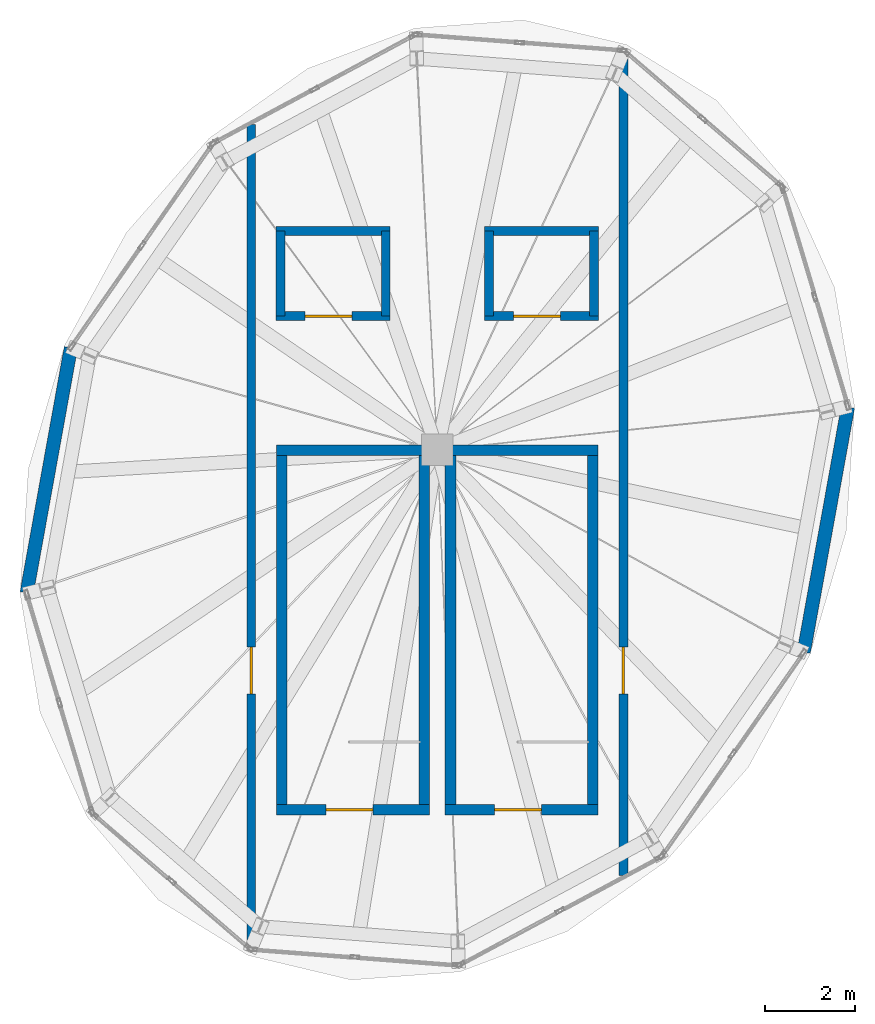
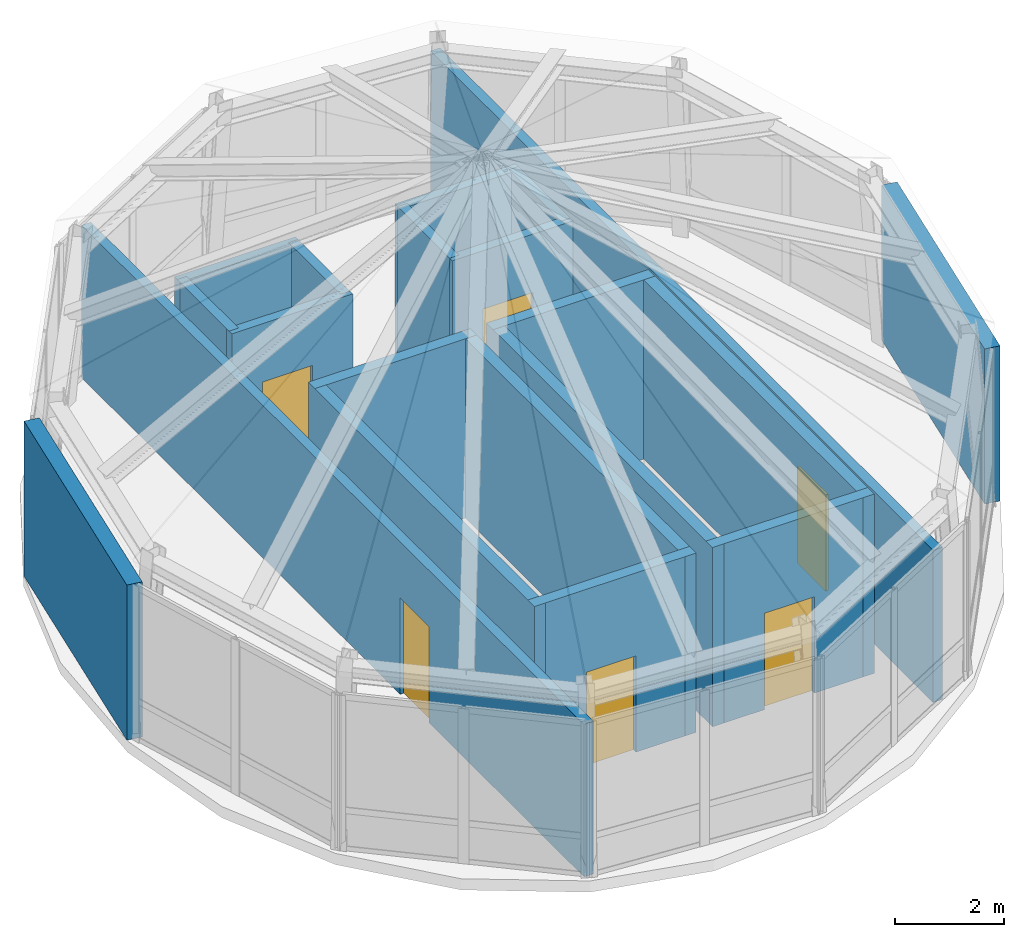
# One storey, part 7 of 8: 20 walls, 6 doors, 6 openings.
"""IFC4 building model written with IfcOpenShell, lengths in metres."""

from ifc_helpers import new_model, si_unit, direction, frame, frame_2d, origin, place, context, subcontext, project, spatial, rectangle, extrude, material, layer, layer_set, type_object, element, fill, save


model = new_model("IFC4")

# Units and contexts
model_context = context("Model", 3, precision=1e-05, world=origin(), true_north=direction((0.0, 1.0)))
body_context = subcontext(model_context, "Body", "Model", "MODEL_VIEW")
ifc_project = project(units=[si_unit("LENGTHUNIT", "METRE"), si_unit("AREAUNIT", "SQUARE_METRE"), si_unit("VOLUMEUNIT", "CUBIC_METRE"), si_unit("PLANEANGLEUNIT", "RADIAN"), si_unit("MASSUNIT", "GRAM", prefix="KILO"), si_unit("THERMODYNAMICTEMPERATUREUNIT", "KELVIN"), si_unit("POWERUNIT", "WATT")], contexts=[model_context])

# Site, building, storey
site_placement = place(None, origin())
site = spatial("IfcSite", under=ifc_project, at=site_placement, CompositionType="ELEMENT")
building_placement = place(site_placement, origin())
building = spatial("IfcBuilding", under=site, at=building_placement, Name="Ocrelia Relay Tower", CompositionType="ELEMENT")
storey_placement = place(building_placement, frame((0.0, 0.0, 308.0)))
storey = spatial("IfcBuildingStorey", under=building, at=storey_placement, Name="L77", CompositionType="ELEMENT", Elevation=308.0)

# Wall, opening, door
ifc_material_1 = material(Name="Concrete C50/60", Category="concrete")
ifc_layer_1 = layer(ifc_material_1, 0.239990234375, Name="Concrete C50/60")
ifc_layer_set_1 = layer_set([ifc_layer_1], Name="Concrete C50/60")
wall_type_1 = type_object("IfcWallType", Name="CW-STAIR-240", PredefinedType="SHEAR", material=ifc_layer_set_1)
wall_1_placement = place(storey_placement, frame((30.412109375, 19.092041015625, 0.0), z_axis=(0.0, 0.0, 1.0), x_axis=(1.0, 0.0, 0.0)))
wall_1 = element("IfcWall", 1, at=wall_1_placement, inside=storey, type_object=wall_type_1, Name="L77 ST4 Structural Shaft S Wall", PredefinedType="SHEAR", context=body_context, shape_type="SweptSolid", body=[
    extrude(rectangle(XDim=3.415771484375, YDim=0.239990234375, at=frame_2d((1.7080078125, 0.0))), origin(), (0.0, 0.0, 1.0), 4.0),
])
opening_1_placement = place(wall_1_placement, frame((1.10009765625, 0.0, 0.0)))
opening_1 = element("IfcOpeningElement", 2, at=opening_1_placement, cuts=wall_1, Name="Opening D-FD90", PredefinedType="OPENING", context=body_context, shape_type="SweptSolid", body=[
    extrude(rectangle(XDim=1.050048828125, YDim=2.14990234375, at=frame_2d((0.52490234375, 1.074951171875))), frame((0.0, 0.1298828125, 0.0), z_axis=(0.0, -1.0, 0.0), x_axis=(1.0, 0.0, 0.0)), (0.0, 0.0, 1.0), 0.260009765625),
])
ifc_material_2 = material(Name="Steel S355 90-min fire door", Category="steel")
door_type_1 = type_object("IfcDoorType", Name="DR-STAIR-FD90-1050", OperationType="NOTDEFINED", PredefinedType="DOOR", material=ifc_material_2)
door_1_placement = place(opening_1_placement, origin())
door_1 = element("IfcDoor", 3, at=door_1_placement, inside=storey, type_object=door_type_1, Name="L77 Crown Stair ST4 Fire Door", OperationType="SINGLE_SWING_LEFT", OverallHeight=2.14990234375, OverallWidth=1.050048828125, PredefinedType="DOOR", context=body_context, shape_type="SweptSolid", body=[
    extrude(rectangle(XDim=1.050048828125, YDim=2.14990234375, at=frame_2d((0.52490234375, 1.074951171875))), frame((0.0, 0.02490234375, 0.0), z_axis=(0.0, -1.0, 0.0), x_axis=(1.0, 0.0, 0.0)), (0.0, 0.0, 1.0), 0.050048828125),
])
fill(opening_1, door_1)

# Walls
wall_2_placement = place(storey_placement, frame((30.412109375, 27.10791015625, 0.0), z_axis=(0.0, 0.0, 1.0), x_axis=(1.0, 0.0, 0.0)))
element("IfcWall", 4, at=wall_2_placement, inside=storey, type_object=wall_type_1, Name="L77 ST4 Structural Shaft N Wall", PredefinedType="SHEAR", context=body_context, shape_type="SweptSolid", body=[
    extrude(rectangle(XDim=3.415771484375, YDim=0.239990234375, at=frame_2d((1.7080078125, 0.0))), origin(), (0.0, 0.0, 1.0), 4.0),
])
for number, where, z_axis, x_axis, name in (
    (5, (30.531982421875, 18.971923828125, 0.0), (0.0, 0.0, 1.0), (0.0, 1.0, 0.0), "L77 ST4 Structural Shaft W Wall"),
    (6, (33.7080078125, 18.971923828125, 0.0), (0.0, 0.0, 1.0), (0.0, 1.0, 0.0), "L77 ST4 Structural Shaft E Wall"),
):
    element("IfcWall", number, at=place(storey_placement, frame(where, z_axis=z_axis, x_axis=x_axis)), inside=storey, type_object=wall_type_1, Name=name, PredefinedType="SHEAR", context=body_context, shape_type="SweptSolid", body=[
        extrude(rectangle(XDim=8.256103515625, YDim=0.239990234375, at=frame_2d((4.1279296875, 0.0))), origin(), (0.0, 0.0, 1.0), 4.0),
    ])

# Wall, opening, door
wall_3_placement = place(storey_placement, frame((34.172119140625, 19.092041015625, 0.0), z_axis=(0.0, 0.0, 1.0), x_axis=(1.0, 0.0, 0.0)))
wall_3 = element("IfcWall", 7, at=wall_3_placement, inside=storey, type_object=wall_type_1, Name="L77 ST5 Structural Shaft S Wall", PredefinedType="SHEAR", context=body_context, shape_type="SweptSolid", body=[
    extrude(rectangle(XDim=3.415771484375, YDim=0.239990234375, at=frame_2d((1.7080078125, 0.0))), origin(), (0.0, 0.0, 1.0), 4.0),
])
opening_2_placement = place(wall_3_placement, frame((1.10009765625, 0.0, 0.0)))
opening_2 = element("IfcOpeningElement", 8, at=opening_2_placement, cuts=wall_3, Name="Opening D-FD90", PredefinedType="OPENING", context=body_context, shape_type="SweptSolid", body=[
    extrude(rectangle(XDim=1.050048828125, YDim=2.14990234375, at=frame_2d((0.52490234375, 1.074951171875))), frame((0.0, 0.1298828125, 0.0), z_axis=(0.0, -1.0, 0.0), x_axis=(1.0, 0.0, 0.0)), (0.0, 0.0, 1.0), 0.260009765625),
])
door_2_placement = place(opening_2_placement, origin())
door_2 = element("IfcDoor", 9, at=door_2_placement, inside=storey, type_object=door_type_1, Name="L77 Crown Stair ST5 Fire Door", OperationType="SINGLE_SWING_RIGHT", OverallHeight=2.14990234375, OverallWidth=1.050048828125, PredefinedType="DOOR", context=body_context, shape_type="SweptSolid", body=[
    extrude(rectangle(XDim=1.050048828125, YDim=2.14990234375, at=frame_2d((0.52490234375, 1.074951171875))), frame((0.0, 0.02490234375, 0.0), z_axis=(0.0, -1.0, 0.0), x_axis=(1.0, 0.0, 0.0)), (0.0, 0.0, 1.0), 0.050048828125),
])
fill(opening_2, door_2)

# Walls
wall_4_placement = place(storey_placement, frame((34.172119140625, 27.10791015625, 0.0), z_axis=(0.0, 0.0, 1.0), x_axis=(1.0, 0.0, 0.0)))
element("IfcWall", 10, at=wall_4_placement, inside=storey, type_object=wall_type_1, Name="L77 ST5 Structural Shaft N Wall", PredefinedType="SHEAR", context=body_context, shape_type="SweptSolid", body=[
    extrude(rectangle(XDim=3.415771484375, YDim=0.239990234375, at=frame_2d((1.7080078125, 0.0))), origin(), (0.0, 0.0, 1.0), 4.0),
])
for number, where, z_axis, x_axis, name in (
    (11, (34.2919921875, 18.971923828125, 0.0), (0.0, 0.0, 1.0), (0.0, 1.0, 0.0), "L77 ST5 Structural Shaft W Wall"),
    (12, (37.468017578125, 18.971923828125, 0.0), (0.0, 0.0, 1.0), (0.0, 1.0, 0.0), "L77 ST5 Structural Shaft E Wall"),
):
    element("IfcWall", number, at=place(storey_placement, frame(where, z_axis=z_axis, x_axis=x_axis)), inside=storey, type_object=wall_type_1, Name=name, PredefinedType="SHEAR", context=body_context, shape_type="SweptSolid", body=[
        extrude(rectangle(XDim=8.256103515625, YDim=0.239990234375, at=frame_2d((4.1279296875, 0.0))), origin(), (0.0, 0.0, 1.0), 4.0),
    ])
ifc_material_3 = material(Name="Precast concrete C40/50 with oxide terracotta", Category="masonry")
ifc_layer_2 = layer(ifc_material_3, 0.300048828125, Name="Precast concrete C40/50 with oxide terracotta")
ifc_layer_set_2 = layer_set([ifc_layer_2], Name="Precast concrete C40/50 with oxide terracotta")
wall_type_2 = type_object("IfcWallType", Name="W-EXT-TERR-300", PredefinedType="SOLIDWALL", material=ifc_layer_set_2)
for number, where, z_axis, x_axis, name in (
    (13, (25.82666015625, 29.393798828125, 0.0), (0.0, 0.0, 1.0), (-0.177445982258, -0.984130541839, 0.0), "L77 Crown Braced Terracotta Spine Wall 04"),
    (14, (42.17333984375, 22.606201171875, 0.0), (0.0, 0.0, 1.0), (0.177445982258, 0.984130541839, 0.0), "L77 Crown Braced Terracotta Spine Wall 10"),
):
    element("IfcWall", number, at=place(storey_placement, frame(where, z_axis=z_axis, x_axis=x_axis)), inside=storey, type_object=wall_type_2, Name=name, PredefinedType="SOLIDWALL", context=body_context, shape_type="SweptSolid", body=[
        extrude(rectangle(XDim=5.552978515625, YDim=0.300048828125, at=frame_2d((2.7763671875, 0.0))), origin(), (0.0, 0.0, 1.0), 3.4599609375),
    ])

# Wall, opening, door
ifc_layer_3 = layer(ifc_material_1, 0.199951171875, Name="Concrete C50/60")
ifc_layer_set_3 = layer_set([ifc_layer_3], Name="Concrete C50/60")
wall_type_3 = type_object("IfcWallType", Name="W-SHAFT-EI120-200", PredefinedType="SOLIDWALL", material=ifc_layer_set_3)
wall_5_placement = place(storey_placement, frame((30.39990234375, 30.10009765625, 0.0), z_axis=(0.0, 0.0, 1.0), x_axis=(1.0, 0.0, 0.0)))
wall_5 = element("IfcWall", 15, at=wall_5_placement, inside=storey, type_object=wall_type_3, Name="L77 FFL1 South Wall", PredefinedType="SOLIDWALL", context=body_context, shape_type="SweptSolid", body=[
    extrude(rectangle(XDim=2.550048828125, YDim=0.199951171875, at=frame_2d((1.27490234375, 0.0))), origin(), (0.0, 0.0, 1.0), 3.39990234375),
])
opening_3_placement = place(wall_5_placement, frame((0.64990234375, 0.0, 0.0)))
opening_3 = element("IfcOpeningElement", 16, at=opening_3_placement, cuts=wall_5, Name="Opening LD-FFL1", PredefinedType="OPENING", context=body_context, shape_type="SweptSolid", body=[
    extrude(rectangle(XDim=1.050048828125, YDim=2.10009765625, at=frame_2d((0.52490234375, 1.050048828125))), frame((0.0, 0.10986328125, 0.0), z_axis=(0.0, -1.0, 0.0), x_axis=(1.0, 0.0, 0.0)), (0.0, 0.0, 1.0), 0.219970703125),
])
ifc_material_4 = material(Name="Brushed stainless steel S355 lift landing door", Category="steel")
door_type_2 = type_object("IfcDoorType", Name="DR-LIFT-LAND-1050", OperationType="DOUBLE_DOOR_SLIDING", PredefinedType="USERDEFINED", material=ifc_material_4)
door_3_placement = place(opening_3_placement, origin())
door_3 = element("IfcDoor", 17, at=door_3_placement, inside=storey, type_object=door_type_2, Name="L77 FFL1 Sliding Landing Door", ObjectType="LANDING DOOR", OperationType="DOUBLE_DOOR_SLIDING", OverallHeight=2.10009765625, OverallWidth=1.050048828125, PredefinedType="USERDEFINED", context=body_context, shape_type="SweptSolid", body=[
    extrude(rectangle(XDim=1.050048828125, YDim=2.10009765625, at=frame_2d((0.52490234375, 1.050048828125))), frame((0.0, 0.02490234375, 0.0), z_axis=(0.0, -1.0, 0.0), x_axis=(1.0, 0.0, 0.0)), (0.0, 0.0, 1.0), 0.050048828125),
])
fill(opening_3, door_3)

# Walls
wall_6_placement = place(storey_placement, frame((30.39990234375, 32.0, 0.0), z_axis=(0.0, 0.0, 1.0), x_axis=(1.0, 0.0, 0.0)))
element("IfcWall", 18, at=wall_6_placement, inside=storey, type_object=wall_type_3, Name="L77 FFL1 N Wall", PredefinedType="SOLIDWALL", context=body_context, shape_type="SweptSolid", body=[
    extrude(rectangle(XDim=2.550048828125, YDim=0.199951171875, at=frame_2d((1.27490234375, 0.0))), origin(), (0.0, 0.0, 1.0), 3.39990234375),
])
for number, where, z_axis, x_axis, name in (
    (19, (30.5, 30.10009765625, 0.0), (0.0, 0.0, 1.0), (0.0, 1.0, 0.0), "L77 FFL1 W Wall"),
    (20, (32.85009765625, 30.10009765625, 0.0), (0.0, 0.0, 1.0), (0.0, 1.0, 0.0), "L77 FFL1 E Wall"),
):
    element("IfcWall", number, at=place(storey_placement, frame(where, z_axis=z_axis, x_axis=x_axis)), inside=storey, type_object=wall_type_3, Name=name, PredefinedType="SOLIDWALL", context=body_context, shape_type="SweptSolid", body=[
        extrude(rectangle(XDim=1.89990234375, YDim=0.199951171875, at=frame_2d((0.949951171875, 0.0))), origin(), (0.0, 0.0, 1.0), 3.39990234375),
    ])

# Wall, opening, door
wall_7_placement = place(storey_placement, frame((35.050048828125, 30.10009765625, 0.0), z_axis=(0.0, 0.0, 1.0), x_axis=(1.0, 0.0, 0.0)))
wall_7 = element("IfcWall", 21, at=wall_7_placement, inside=storey, type_object=wall_type_3, Name="L77 FFL2 South Wall", PredefinedType="SOLIDWALL", context=body_context, shape_type="SweptSolid", body=[
    extrude(rectangle(XDim=2.550048828125, YDim=0.199951171875, at=frame_2d((1.27490234375, 0.0))), origin(), (0.0, 0.0, 1.0), 3.39990234375),
])
opening_4_placement = place(wall_7_placement, frame((0.64990234375, 0.0, 0.0)))
opening_4 = element("IfcOpeningElement", 22, at=opening_4_placement, cuts=wall_7, Name="Opening LD-FFL2", PredefinedType="OPENING", context=body_context, shape_type="SweptSolid", body=[
    extrude(rectangle(XDim=1.050048828125, YDim=2.10009765625, at=frame_2d((0.52490234375, 1.050048828125))), frame((0.0, 0.10986328125, 0.0), z_axis=(0.0, -1.0, 0.0), x_axis=(1.0, 0.0, 0.0)), (0.0, 0.0, 1.0), 0.219970703125),
])
door_4_placement = place(opening_4_placement, origin())
door_4 = element("IfcDoor", 23, at=door_4_placement, inside=storey, type_object=door_type_2, Name="L77 FFL2 Sliding Landing Door", ObjectType="LANDING DOOR", OperationType="DOUBLE_DOOR_SLIDING", OverallHeight=2.10009765625, OverallWidth=1.050048828125, PredefinedType="USERDEFINED", context=body_context, shape_type="SweptSolid", body=[
    extrude(rectangle(XDim=1.050048828125, YDim=2.10009765625, at=frame_2d((0.52490234375, 1.050048828125))), frame((0.0, 0.02490234375, 0.0), z_axis=(0.0, -1.0, 0.0), x_axis=(1.0, 0.0, 0.0)), (0.0, 0.0, 1.0), 0.050048828125),
])
fill(opening_4, door_4)

# Walls
wall_8_placement = place(storey_placement, frame((35.050048828125, 32.0, 0.0), z_axis=(0.0, 0.0, 1.0), x_axis=(1.0, 0.0, 0.0)))
element("IfcWall", 24, at=wall_8_placement, inside=storey, type_object=wall_type_3, Name="L77 FFL2 N Wall", PredefinedType="SOLIDWALL", context=body_context, shape_type="SweptSolid", body=[
    extrude(rectangle(XDim=2.550048828125, YDim=0.199951171875, at=frame_2d((1.27490234375, 0.0))), origin(), (0.0, 0.0, 1.0), 3.39990234375),
])
for number, where, z_axis, x_axis, name in (
    (25, (35.14990234375, 30.10009765625, 0.0), (0.0, 0.0, 1.0), (0.0, 1.0, 0.0), "L77 FFL2 W Wall"),
    (26, (37.5, 30.10009765625, 0.0), (0.0, 0.0, 1.0), (0.0, 1.0, 0.0), "L77 FFL2 E Wall"),
):
    element("IfcWall", number, at=place(storey_placement, frame(where, z_axis=z_axis, x_axis=x_axis)), inside=storey, type_object=wall_type_3, Name=name, PredefinedType="SOLIDWALL", context=body_context, shape_type="SweptSolid", body=[
        extrude(rectangle(XDim=1.89990234375, YDim=0.199951171875, at=frame_2d((0.949951171875, 0.0))), origin(), (0.0, 0.0, 1.0), 3.39990234375),
    ])

# Wall, opening, door
wall_9_placement = place(storey_placement, frame((29.85009765625, 16.0078125, 0.0), z_axis=(0.0, 0.0, 1.0), x_axis=(0.0, 1.0, 0.0)))
wall_9 = element("IfcWall", 27, at=wall_9_placement, inside=storey, type_object=wall_type_3, Name="L77 Crown Lobby West Wall", PredefinedType="SOLIDWALL", context=body_context, shape_type="SweptSolid", body=[
    extrude(rectangle(XDim=18.36376953125, YDim=0.199951171875, at=frame_2d((9.181884765625, 0.0))), origin(), (0.0, 0.0, 1.0), 3.39990234375),
])
opening_5_placement = place(wall_9_placement, frame((5.667236328125, 0.0, 0.0)))
opening_5 = element("IfcOpeningElement", 28, at=opening_5_placement, cuts=wall_9, Name="Opening D-FD90", PredefinedType="OPENING", context=body_context, shape_type="SweptSolid", body=[
    extrude(rectangle(XDim=1.050048828125, YDim=2.14990234375, at=frame_2d((0.52490234375, 1.074951171875))), frame((0.0, 0.10986328125, 0.0), z_axis=(0.0, -1.0, 0.0), x_axis=(1.0, 0.0, 0.0)), (0.0, 0.0, 1.0), 0.219970703125),
])
door_5_placement = place(opening_5_placement, origin())
door_5 = element("IfcDoor", 29, at=door_5_placement, inside=storey, type_object=door_type_1, Name="L77 West Chiller Plant Door", OperationType="SINGLE_SWING_LEFT", OverallHeight=2.14990234375, OverallWidth=1.050048828125, PredefinedType="DOOR", context=body_context, shape_type="SweptSolid", body=[
    extrude(rectangle(XDim=1.050048828125, YDim=2.14990234375, at=frame_2d((0.52490234375, 1.074951171875))), frame((0.0, 0.02490234375, 0.0), z_axis=(0.0, -1.0, 0.0), x_axis=(1.0, 0.0, 0.0)), (0.0, 0.0, 1.0), 0.050048828125),
])
fill(opening_5, door_5)

wall_10_placement = place(storey_placement, frame((38.14990234375, 17.62841796875, 0.0), z_axis=(0.0, 0.0, 1.0), x_axis=(0.0, 1.0, 0.0)))
wall_10 = element("IfcWall", 30, at=wall_10_placement, inside=storey, type_object=wall_type_3, Name="L77 Crown Lobby East Wall", PredefinedType="SOLIDWALL", context=body_context, shape_type="SweptSolid", body=[
    extrude(rectangle(XDim=18.36376953125, YDim=0.199951171875, at=frame_2d((9.181884765625, 0.0))), origin(), (0.0, 0.0, 1.0), 3.39990234375),
])
opening_6_placement = place(wall_10_placement, frame((4.046630859375, 0.0, 0.0)))
opening_6 = element("IfcOpeningElement", 31, at=opening_6_placement, cuts=wall_10, Name="Opening D-FD90", PredefinedType="OPENING", context=body_context, shape_type="SweptSolid", body=[
    extrude(rectangle(XDim=1.050048828125, YDim=2.14990234375, at=frame_2d((0.52490234375, 1.074951171875))), frame((0.0, 0.10986328125, 0.0), z_axis=(0.0, -1.0, 0.0), x_axis=(1.0, 0.0, 0.0)), (0.0, 0.0, 1.0), 0.219970703125),
])
door_6_placement = place(opening_6_placement, origin())
door_6 = element("IfcDoor", 32, at=door_6_placement, inside=storey, type_object=door_type_1, Name="L77 East Switchgear Plant Door", OperationType="SINGLE_SWING_RIGHT", OverallHeight=2.14990234375, OverallWidth=1.050048828125, PredefinedType="DOOR", context=body_context, shape_type="SweptSolid", body=[
    extrude(rectangle(XDim=1.050048828125, YDim=2.14990234375, at=frame_2d((0.52490234375, 1.074951171875))), frame((0.0, 0.02490234375, 0.0), z_axis=(0.0, -1.0, 0.0), x_axis=(1.0, 0.0, 0.0)), (0.0, 0.0, 1.0), 0.050048828125),
])
fill(opening_6, door_6)

save(model, "model.ifc")
